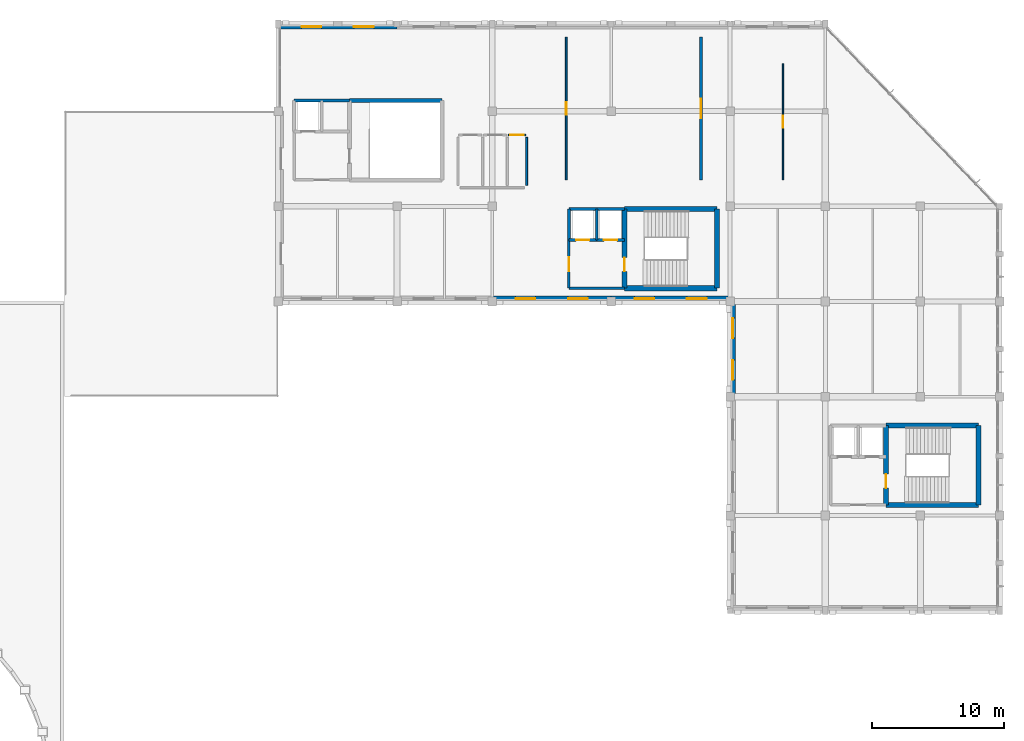
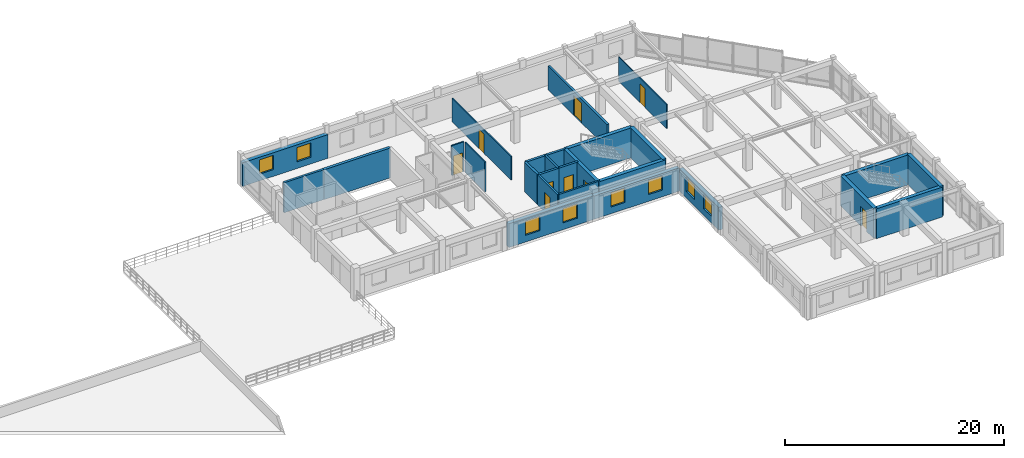
# One storey, part 14 of 18: 26 walls, 9 doors, 8 windows, 17 openings.
"""IFC4 building model written with IfcOpenShell, lengths in metres."""

from ifc_helpers import new_model, si_unit, direction, frame, frame_2d, origin, place, context, subcontext, project, spatial, rectangle, extrude, material, layer, layer_set, type_object, element, fill, save


model = new_model("IFC4")

# Units and contexts
model_context = context("Model", 3, precision=1e-05, world=origin(), true_north=direction((0.0, 1.0)))
body_context = subcontext(model_context, "Body", "Model", "MODEL_VIEW")
ifc_project = project(units=[si_unit("LENGTHUNIT", "METRE"), si_unit("AREAUNIT", "SQUARE_METRE"), si_unit("VOLUMEUNIT", "CUBIC_METRE"), si_unit("PLANEANGLEUNIT", "RADIAN"), si_unit("MASSUNIT", "GRAM", prefix="KILO")], contexts=[model_context])

# Site, building, storey
site_placement = place(None, origin())
site = spatial("IfcSite", under=ifc_project, at=site_placement, CompositionType="ELEMENT")
building_placement = place(site_placement, origin())
building = spatial("IfcBuilding", under=site, at=building_placement, Name="Clarverna Civic Hall", CompositionType="ELEMENT")
storey_placement = place(building_placement, frame((0.0, 0.0, 20.39990234375)))
storey = spatial("IfcBuildingStorey", under=building, at=storey_placement, Name="L05", CompositionType="ELEMENT", Elevation=20.39990234375)

# Wall, openings, windows
ifc_material_1 = material(Name="Montjuic Limestone Ashlar Cladding", Category="masonry")
ifc_layer_1 = layer(ifc_material_1, 0.39990234375)
ifc_layer_set_1 = layer_set([ifc_layer_1], Name="Montjuic Limestone Ashlar Cladding")
wall_type_1 = type_object("IfcWallType", Name="EW-02", PredefinedType="SOLIDWALL", material=ifc_layer_set_1)
wall_1_placement = place(storey_placement, frame((113.39990234375, 115.800048828125, 0.0), z_axis=(0.0, 0.0, 1.0), x_axis=(1.0, 0.0, 0.0)))
wall_1 = element("IfcWall", 1, at=wall_1_placement, inside=storey, type_object=wall_type_1, Name="EW-02-254", PredefinedType="SOLIDWALL", context=body_context, shape_type="SweptSolid", body=[
    extrude(rectangle(XDim=9.0, YDim=0.39990234375, at=frame_2d((4.5, 0.0))), origin(), (0.0, 0.0, 1.0), 2.64013671875),
])
opening_1_placement = place(wall_1_placement, frame((1.77001953125, 0.0, 0.75)))
opening_1 = element("IfcOpeningElement", 2, at=opening_1_placement, cuts=wall_1, Name="Opening WN-14", PredefinedType="OPENING", context=body_context, shape_type="SweptSolid", body=[
    extrude(rectangle(XDim=1.5, YDim=1.60009765625, at=frame_2d((0.75, 0.800048828125))), frame((0.0, 0.2099609375, 0.0), z_axis=(0.0, -1.0, 0.0), x_axis=(1.0, 0.0, 0.0)), (0.0, 0.0, 1.0), 0.419921875),
])
opening_2_placement = place(wall_1_placement, frame((5.72998046875, 0.0, 0.75)))
opening_2 = element("IfcOpeningElement", 3, at=opening_2_placement, cuts=wall_1, Name="Opening WN-14", PredefinedType="OPENING", context=body_context, shape_type="SweptSolid", body=[
    extrude(rectangle(XDim=1.5, YDim=1.60009765625, at=frame_2d((0.75, 0.800048828125))), frame((0.0, 0.2099609375, 0.0), z_axis=(0.0, -1.0, 0.0), x_axis=(1.0, 0.0, 0.0)), (0.0, 0.0, 1.0), 0.419921875),
])
ifc_material_2 = material(Name="Solar-Control Argon Low-E Double Glazing", Category="glass")
window_type = type_object("IfcWindowType", Name="WN-14", PartitioningType="DOUBLE_PANEL_HORIZONTAL", PredefinedType="WINDOW", material=ifc_material_2)
window_1_placement = place(opening_1_placement, origin())
window_1 = element("IfcWindow", 4, at=window_1_placement, inside=storey, type_object=window_type, Name="WN-14-291", OverallHeight=1.60009765625, OverallWidth=1.5, PartitioningType="DOUBLE_PANEL_HORIZONTAL", PredefinedType="WINDOW", context=body_context, shape_type="SweptSolid", body=[
    extrude(rectangle(XDim=1.5, YDim=1.60009765625, at=frame_2d((0.75, 0.800048828125))), frame((0.0, 0.030029296875, 0.0), z_axis=(0.0, -1.0, 0.0), x_axis=(1.0, 0.0, 0.0)), (0.0, 0.0, 1.0), 0.06005859375),
])
fill(opening_1, window_1)
window_2_placement = place(opening_2_placement, origin())
window_2 = element("IfcWindow", 5, at=window_2_placement, inside=storey, type_object=window_type, Name="WN-14-292", OverallHeight=1.60009765625, OverallWidth=1.5, PartitioningType="DOUBLE_PANEL_HORIZONTAL", PredefinedType="WINDOW", context=body_context, shape_type="SweptSolid", body=[
    extrude(rectangle(XDim=1.5, YDim=1.60009765625, at=frame_2d((0.75, 0.800048828125))), frame((0.0, 0.030029296875, 0.0), z_axis=(0.0, -1.0, 0.0), x_axis=(1.0, 0.0, 0.0)), (0.0, 0.0, 1.0), 0.06005859375),
])
fill(opening_2, window_2)

wall_2_placement = place(storey_placement, frame((147.800048828125, 87.800048828125, 0.0), z_axis=(0.0, 0.0, 1.0), x_axis=(0.0, 1.0, 0.0)))
wall_2 = element("IfcWall", 6, at=wall_2_placement, inside=storey, type_object=wall_type_1, Name="EW-02-264", PredefinedType="SOLIDWALL", context=body_context, shape_type="SweptSolid", body=[
    extrude(rectangle(XDim=7.199951171875, YDim=0.39990234375, at=frame_2d((3.60009765625, 0.0))), origin(), (0.0, 0.0, 1.0), 2.5400390625),
])
opening_3_placement = place(wall_2_placement, frame((1.26611328125, 0.0, 0.75)))
opening_3 = element("IfcOpeningElement", 7, at=opening_3_placement, cuts=wall_2, Name="Opening WN-14", PredefinedType="OPENING", context=body_context, shape_type="SweptSolid", body=[
    extrude(rectangle(XDim=1.5, YDim=1.60009765625, at=frame_2d((0.75, 0.800048828125))), frame((0.0, 0.2099609375, 0.0), z_axis=(0.0, -1.0, 0.0), x_axis=(1.0, 0.0, 0.0)), (0.0, 0.0, 1.0), 0.419921875),
])
opening_4_placement = place(wall_2_placement, frame((4.43408203125, 0.0, 0.75)))
opening_4 = element("IfcOpeningElement", 8, at=opening_4_placement, cuts=wall_2, Name="Opening WN-14", PredefinedType="OPENING", context=body_context, shape_type="SweptSolid", body=[
    extrude(rectangle(XDim=1.5, YDim=1.60009765625, at=frame_2d((0.75, 0.800048828125))), frame((0.0, 0.2099609375, 0.0), z_axis=(0.0, -1.0, 0.0), x_axis=(1.0, 0.0, 0.0)), (0.0, 0.0, 1.0), 0.419921875),
])
window_3_placement = place(opening_3_placement, origin())
window_3 = element("IfcWindow", 9, at=window_3_placement, inside=storey, type_object=window_type, Name="WN-14-307", OverallHeight=1.60009765625, OverallWidth=1.5, PartitioningType="DOUBLE_PANEL_HORIZONTAL", PredefinedType="WINDOW", context=body_context, shape_type="SweptSolid", body=[
    extrude(rectangle(XDim=1.5, YDim=1.60009765625, at=frame_2d((0.75, 0.800048828125))), frame((0.0, 0.030029296875, 0.0), z_axis=(0.0, -1.0, 0.0), x_axis=(1.0, 0.0, 0.0)), (0.0, 0.0, 1.0), 0.06005859375),
])
fill(opening_3, window_3)
window_4_placement = place(opening_4_placement, origin())
window_4 = element("IfcWindow", 10, at=window_4_placement, inside=storey, type_object=window_type, Name="WN-14-308", OverallHeight=1.60009765625, OverallWidth=1.5, PartitioningType="DOUBLE_PANEL_HORIZONTAL", PredefinedType="WINDOW", context=body_context, shape_type="SweptSolid", body=[
    extrude(rectangle(XDim=1.5, YDim=1.60009765625, at=frame_2d((0.75, 0.800048828125))), frame((0.0, 0.030029296875, 0.0), z_axis=(0.0, -1.0, 0.0), x_axis=(1.0, 0.0, 0.0)), (0.0, 0.0, 1.0), 0.06005859375),
])
fill(opening_4, window_4)

wall_3_placement = place(storey_placement, frame((147.60009765625, 95.199951171875, 0.0), z_axis=(0.0, 0.0, 1.0), x_axis=(-1.0, 0.0, 0.0)))
wall_3 = element("IfcWall", 11, at=wall_3_placement, inside=storey, type_object=wall_type_1, Name="EW-02-265", PredefinedType="SOLIDWALL", context=body_context, shape_type="SweptSolid", body=[
    extrude(rectangle(XDim=9.0, YDim=0.39990234375, at=frame_2d((4.5, 0.0))), origin(), (0.0, 0.0, 1.0), 2.590087890625),
])
opening_5_placement = place(wall_3_placement, frame((1.77001953125, 0.0, 0.75)))
opening_5 = element("IfcOpeningElement", 12, at=opening_5_placement, cuts=wall_3, Name="Opening WN-14", PredefinedType="OPENING", context=body_context, shape_type="SweptSolid", body=[
    extrude(rectangle(XDim=1.5, YDim=1.60009765625, at=frame_2d((0.75, 0.800048828125))), frame((0.0, 0.2099609375, 0.0), z_axis=(0.0, -1.0, 0.0), x_axis=(1.0, 0.0, 0.0)), (0.0, 0.0, 1.0), 0.419921875),
])
opening_6_placement = place(wall_3_placement, frame((5.72998046875, 0.0, 0.75)))
opening_6 = element("IfcOpeningElement", 13, at=opening_6_placement, cuts=wall_3, Name="Opening WN-14", PredefinedType="OPENING", context=body_context, shape_type="SweptSolid", body=[
    extrude(rectangle(XDim=1.5, YDim=1.60009765625, at=frame_2d((0.75, 0.800048828125))), frame((0.0, 0.2099609375, 0.0), z_axis=(0.0, -1.0, 0.0), x_axis=(1.0, 0.0, 0.0)), (0.0, 0.0, 1.0), 0.419921875),
])
window_5_placement = place(opening_5_placement, origin())
window_5 = element("IfcWindow", 14, at=window_5_placement, inside=storey, type_object=window_type, Name="WN-14-309", OverallHeight=1.60009765625, OverallWidth=1.5, PartitioningType="DOUBLE_PANEL_HORIZONTAL", PredefinedType="WINDOW", context=body_context, shape_type="SweptSolid", body=[
    extrude(rectangle(XDim=1.5, YDim=1.60009765625, at=frame_2d((0.75, 0.800048828125))), frame((0.0, 0.030029296875, 0.0), z_axis=(0.0, -1.0, 0.0), x_axis=(1.0, 0.0, 0.0)), (0.0, 0.0, 1.0), 0.06005859375),
])
fill(opening_5, window_5)
window_6_placement = place(opening_6_placement, origin())
window_6 = element("IfcWindow", 15, at=window_6_placement, inside=storey, type_object=window_type, Name="WN-14-310", OverallHeight=1.60009765625, OverallWidth=1.5, PartitioningType="DOUBLE_PANEL_HORIZONTAL", PredefinedType="WINDOW", context=body_context, shape_type="SweptSolid", body=[
    extrude(rectangle(XDim=1.5, YDim=1.60009765625, at=frame_2d((0.75, 0.800048828125))), frame((0.0, 0.030029296875, 0.0), z_axis=(0.0, -1.0, 0.0), x_axis=(1.0, 0.0, 0.0)), (0.0, 0.0, 1.0), 0.06005859375),
])
fill(opening_6, window_6)

wall_4_placement = place(storey_placement, frame((138.60009765625, 95.199951171875, 0.0), z_axis=(0.0, 0.0, 1.0), x_axis=(-1.0, 0.0, 0.0)))
wall_4 = element("IfcWall", 16, at=wall_4_placement, inside=storey, type_object=wall_type_1, Name="EW-02-266", PredefinedType="SOLIDWALL", context=body_context, shape_type="SweptSolid", body=[
    extrude(rectangle(XDim=9.0, YDim=0.39990234375, at=frame_2d((4.5, 0.0))), origin(), (0.0, 0.0, 1.0), 2.66015625),
])
opening_7_placement = place(wall_4_placement, frame((1.77001953125, 0.0, 0.75)))
opening_7 = element("IfcOpeningElement", 17, at=opening_7_placement, cuts=wall_4, Name="Opening WN-14", PredefinedType="OPENING", context=body_context, shape_type="SweptSolid", body=[
    extrude(rectangle(XDim=1.5, YDim=1.60009765625, at=frame_2d((0.75, 0.800048828125))), frame((0.0, 0.2099609375, 0.0), z_axis=(0.0, -1.0, 0.0), x_axis=(1.0, 0.0, 0.0)), (0.0, 0.0, 1.0), 0.419921875),
])
opening_8_placement = place(wall_4_placement, frame((5.72998046875, 0.0, 0.75)))
opening_8 = element("IfcOpeningElement", 18, at=opening_8_placement, cuts=wall_4, Name="Opening WN-14", PredefinedType="OPENING", context=body_context, shape_type="SweptSolid", body=[
    extrude(rectangle(XDim=1.5, YDim=1.60009765625, at=frame_2d((0.75, 0.800048828125))), frame((0.0, 0.2099609375, 0.0), z_axis=(0.0, -1.0, 0.0), x_axis=(1.0, 0.0, 0.0)), (0.0, 0.0, 1.0), 0.419921875),
])
window_7_placement = place(opening_7_placement, origin())
window_7 = element("IfcWindow", 19, at=window_7_placement, inside=storey, type_object=window_type, Name="WN-14-311", OverallHeight=1.60009765625, OverallWidth=1.5, PartitioningType="DOUBLE_PANEL_HORIZONTAL", PredefinedType="WINDOW", context=body_context, shape_type="SweptSolid", body=[
    extrude(rectangle(XDim=1.5, YDim=1.60009765625, at=frame_2d((0.75, 0.800048828125))), frame((0.0, 0.030029296875, 0.0), z_axis=(0.0, -1.0, 0.0), x_axis=(1.0, 0.0, 0.0)), (0.0, 0.0, 1.0), 0.06005859375),
])
fill(opening_7, window_7)
window_8_placement = place(opening_8_placement, origin())
window_8 = element("IfcWindow", 20, at=window_8_placement, inside=storey, type_object=window_type, Name="WN-14-312", OverallHeight=1.60009765625, OverallWidth=1.5, PartitioningType="DOUBLE_PANEL_HORIZONTAL", PredefinedType="WINDOW", context=body_context, shape_type="SweptSolid", body=[
    extrude(rectangle(XDim=1.5, YDim=1.60009765625, at=frame_2d((0.75, 0.800048828125))), frame((0.0, 0.030029296875, 0.0), z_axis=(0.0, -1.0, 0.0), x_axis=(1.0, 0.0, 0.0)), (0.0, 0.0, 1.0), 0.06005859375),
])
fill(opening_8, window_8)

# Wall
ifc_material_3 = material(Name="Ceramic Brick and Plaster Wet-Room Partition", Category="masonry")
ifc_layer_2 = layer(ifc_material_3, 0.139892578125)
ifc_layer_set_2 = layer_set([ifc_layer_2], Name="Ceramic Brick and Plaster Wet-Room Partition")
wall_type_2 = type_object("IfcWallType", Name="PW-02", PredefinedType="PARTITIONING", material=ifc_layer_set_2)
wall_5_placement = place(storey_placement, frame((132.199951171875, 103.780029296875, 0.0), z_axis=(0.0, 0.0, 1.0), x_axis=(0.0, 1.0, 0.0)))
element("IfcWall", 21, at=wall_5_placement, inside=storey, type_object=wall_type_2, Name="PW-02-051", PredefinedType="PARTITIONING", context=body_context, shape_type="SweptSolid", body=[
    extrude(rectangle(XDim=3.639892578125, YDim=0.139892578125, at=frame_2d((1.81982421875, 0.0))), origin(), (0.0, 0.0, 1.0), 3.340087890625),
])

# Wall, opening, door
wall_6_placement = place(storey_placement, frame((130.823974609375, 107.60009765625, 0.0), z_axis=(0.0, 0.0, 1.0), x_axis=(1.0, 0.0, 0.0)))
wall_6 = element("IfcWall", 22, at=wall_6_placement, inside=storey, type_object=wall_type_2, Name="PW-02-056", PredefinedType="PARTITIONING", context=body_context, shape_type="SweptSolid", body=[
    extrude(rectangle(XDim=1.296142578125, YDim=0.139892578125, at=frame_2d((0.64794921875, 0.0))), origin(), (0.0, 0.0, 1.0), 3.340087890625),
])
opening_9_placement = place(wall_6_placement, frame((0.14794921875, 0.0, 0.0)))
opening_9 = element("IfcOpeningElement", 23, at=opening_9_placement, cuts=wall_6, Name="Opening ID-02", PredefinedType="OPENING", context=body_context, shape_type="SweptSolid", body=[
    extrude(rectangle(XDim=1.0, YDim=2.14990234375, at=frame_2d((0.5, 1.074951171875))), frame((0.0, 0.079833984375, 0.0), z_axis=(0.0, -1.0, 0.0), x_axis=(1.0, 0.0, 0.0)), (0.0, 0.0, 1.0), 0.159912109375),
])
ifc_material_4 = material(Name="European Oak Veneered Acoustic Timber Door", Category="wood")
door_type_1 = type_object("IfcDoorType", Name="ID-02", OperationType="NOTDEFINED", PredefinedType="DOOR", material=ifc_material_4)
door_1_placement = place(opening_9_placement, origin())
door_1 = element("IfcDoor", 24, at=door_1_placement, inside=storey, type_object=door_type_1, Name="ID-02-021", OperationType="SINGLE_SWING_LEFT", OverallHeight=2.14990234375, OverallWidth=1.0, PredefinedType="DOOR", context=body_context, shape_type="SweptSolid", body=[
    extrude(rectangle(XDim=1.0, YDim=2.14990234375, at=frame_2d((0.5, 1.074951171875))), frame((0.0, 0.02490234375, 0.0), z_axis=(0.0, -1.0, 0.0), x_axis=(1.0, 0.0, 0.0)), (0.0, 0.0, 1.0), 0.050048828125),
])
fill(opening_9, door_1)

ifc_material_5 = material(Name="Gypsum Plasterboard Partition", Category="gypsum")
ifc_layer_3 = layer(ifc_material_5, 0.1201171875)
ifc_layer_set_3 = layer_set([ifc_layer_3], Name="Gypsum Plasterboard Partition")
wall_type_3 = type_object("IfcWallType", Name="PW-03", PredefinedType="PARTITIONING", material=ifc_layer_set_3)
wall_7_placement = place(storey_placement, frame((135.199951171875, 104.199951171875, 0.0), z_axis=(0.0, 0.0, 1.0), x_axis=(0.0, 1.0, 0.0)))
wall_7 = element("IfcWall", 25, at=wall_7_placement, inside=storey, type_object=wall_type_3, Name="PW-03-008", PredefinedType="PARTITIONING", context=body_context, shape_type="SweptSolid", body=[
    extrude(rectangle(XDim=10.800048828125, YDim=0.1201171875, at=frame_2d((5.39990234375, 0.0))), origin(), (0.0, 0.0, 1.0), 2.6201171875),
])
opening_10_placement = place(wall_7_placement, frame((4.925048828125, 0.0, 0.0)))
opening_10 = element("IfcOpeningElement", 26, at=opening_10_placement, cuts=wall_7, Name="Opening ID-01", PredefinedType="OPENING", context=body_context, shape_type="SweptSolid", body=[
    extrude(rectangle(XDim=0.949951171875, YDim=2.14990234375, at=frame_2d((0.47509765625, 1.074951171875))), frame((0.0, 0.070068359375, 0.0), z_axis=(0.0, -1.0, 0.0), x_axis=(1.0, 0.0, 0.0)), (0.0, 0.0, 1.0), 0.14013671875),
])
door_type_2 = type_object("IfcDoorType", Name="ID-01", OperationType="NOTDEFINED", PredefinedType="DOOR", material=ifc_material_4)
door_2_placement = place(opening_10_placement, origin())
door_2 = element("IfcDoor", 27, at=door_2_placement, inside=storey, type_object=door_type_2, Name="ID-01-011", OperationType="SINGLE_SWING_LEFT", OverallHeight=2.14990234375, OverallWidth=0.949951171875, PredefinedType="DOOR", context=body_context, shape_type="SweptSolid", body=[
    extrude(rectangle(XDim=0.949951171875, YDim=2.14990234375, at=frame_2d((0.47509765625, 1.074951171875))), frame((0.0, 0.02490234375, 0.0), z_axis=(0.0, -1.0, 0.0), x_axis=(1.0, 0.0, 0.0)), (0.0, 0.0, 1.0), 0.050048828125),
])
fill(opening_10, door_2)

ifc_layer_4 = layer(ifc_material_5, 0.10009765625)
ifc_layer_set_4 = layer_set([ifc_layer_4], Name="Gypsum Plasterboard Partition")
wall_type_4 = type_object("IfcWallType", Name="PW-04", PredefinedType="PARTITIONING", material=ifc_layer_set_4)
wall_8_placement = place(storey_placement, frame((151.60009765625, 104.199951171875, 0.0), z_axis=(0.0, 0.0, 1.0), x_axis=(0.0, 1.0, 0.0)))
wall_8 = element("IfcWall", 28, at=wall_8_placement, inside=storey, type_object=wall_type_4, Name="PW-04-008", PredefinedType="PARTITIONING", context=body_context, shape_type="SweptSolid", body=[
    extrude(rectangle(XDim=8.800048828125, YDim=0.10009765625, at=frame_2d((4.39990234375, 0.0))), origin(), (0.0, 0.0, 1.0), 2.72021484375),
])
opening_11_placement = place(wall_8_placement, frame((3.949951171875, 0.0, 0.0)))
opening_11 = element("IfcOpeningElement", 29, at=opening_11_placement, cuts=wall_8, Name="Opening ID-06", PredefinedType="OPENING", context=body_context, shape_type="SweptSolid", body=[
    extrude(rectangle(XDim=0.89990234375, YDim=2.10009765625, at=frame_2d((0.449951171875, 1.050048828125))), frame((0.0, 0.06005859375, 0.0), z_axis=(0.0, -1.0, 0.0), x_axis=(1.0, 0.0, 0.0)), (0.0, 0.0, 1.0), 0.1201171875),
])
ifc_material_6 = material(Name="Painted Hardwood Service Door", Category="wood")
door_type_3 = type_object("IfcDoorType", Name="ID-06", OperationType="NOTDEFINED", PredefinedType="DOOR", material=ifc_material_6)
door_3_placement = place(opening_11_placement, origin())
door_3 = element("IfcDoor", 30, at=door_3_placement, inside=storey, type_object=door_type_3, Name="ID-06-002", OperationType="SINGLE_SWING_RIGHT", OverallHeight=2.10009765625, OverallWidth=0.89990234375, PredefinedType="DOOR", context=body_context, shape_type="SweptSolid", body=[
    extrude(rectangle(XDim=0.89990234375, YDim=2.10009765625, at=frame_2d((0.449951171875, 1.050048828125))), frame((0.0, 0.02490234375, 0.0), z_axis=(0.0, -1.0, 0.0), x_axis=(1.0, 0.0, 0.0)), (0.0, 0.0, 1.0), 0.050048828125),
])
fill(opening_11, door_3)

ifc_material_7 = material(Name="Aerated Concrete Masonry Blockwork", Category="masonry")
ifc_layer_5 = layer(ifc_material_7, 0.219970703125)
ifc_layer_set_5 = layer_set([ifc_layer_5], Name="Aerated Concrete Masonry Blockwork")
wall_type_5 = type_object("IfcWallType", Name="PW-05", PredefinedType="PARTITIONING", material=ifc_layer_set_5)
wall_9_placement = place(storey_placement, frame((145.39990234375, 104.199951171875, 0.0), z_axis=(0.0, 0.0, 1.0), x_axis=(0.0, 1.0, 0.0)))
wall_9 = element("IfcWall", 31, at=wall_9_placement, inside=storey, type_object=wall_type_5, Name="PW-05-012", PredefinedType="PARTITIONING", context=body_context, shape_type="SweptSolid", body=[
    extrude(rectangle(XDim=10.800048828125, YDim=0.219970703125, at=frame_2d((5.39990234375, 0.0))), origin(), (0.0, 0.0, 1.0), 2.66015625),
])
opening_12_placement = place(wall_9_placement, frame((4.675048828125, 0.0, 0.0)))
opening_12 = element("IfcOpeningElement", 32, at=opening_12_placement, cuts=wall_9, Name="Opening FD-01", PredefinedType="OPENING", context=body_context, shape_type="SweptSolid", body=[
    extrude(rectangle(XDim=1.449951171875, YDim=2.199951171875, at=frame_2d((0.72509765625, 1.10009765625))), frame((0.0, 0.119873046875, 0.0), z_axis=(0.0, -1.0, 0.0), x_axis=(1.0, 0.0, 0.0)), (0.0, 0.0, 1.0), 0.239990234375),
])
ifc_material_8 = material(Name="Acoustic Timber-Faced Fire Door", Category="wood")
door_type_4 = type_object("IfcDoorType", Name="FD-01", OperationType="DOUBLE_DOOR_SINGLE_SWING", PredefinedType="DOOR", material=ifc_material_8)
door_4_placement = place(opening_12_placement, origin())
door_4 = element("IfcDoor", 33, at=door_4_placement, inside=storey, type_object=door_type_4, Name="FD-01-014", OperationType="DOUBLE_DOOR_SINGLE_SWING", OverallHeight=2.199951171875, OverallWidth=1.449951171875, PredefinedType="DOOR", context=body_context, shape_type="SweptSolid", body=[
    extrude(rectangle(XDim=1.449951171875, YDim=2.199951171875, at=frame_2d((0.72509765625, 1.10009765625))), frame((0.0, 0.02490234375, 0.0), z_axis=(0.0, -1.0, 0.0), x_axis=(1.0, 0.0, 0.0)), (0.0, 0.0, 1.0), 0.050048828125),
])
fill(opening_12, door_4)

ifc_material_9 = material(Name="Acoustic Gypsum Plasterboard on Twin Frame", Category="gypsum")
ifc_layer_6 = layer(ifc_material_9, 0.18994140625)
ifc_layer_set_6 = layer_set([ifc_layer_6], Name="Acoustic Gypsum Plasterboard on Twin Frame")
wall_type_6 = type_object("IfcWallType", Name="PW-06", PredefinedType="PARTITIONING", material=ifc_layer_set_6)
wall_10_placement = place(storey_placement, frame((135.39990234375, 96.0, 0.0), z_axis=(0.0, 0.0, 1.0), x_axis=(0.0, 1.0, 0.0)))
wall_10 = element("IfcWall", 34, at=wall_10_placement, inside=storey, type_object=wall_type_6, Name="PW-06-013", PredefinedType="PARTITIONING", context=body_context, shape_type="SweptSolid", body=[
    extrude(rectangle(XDim=3.64990234375, YDim=0.18994140625, at=frame_2d((1.824951171875, 0.0))), origin(), (0.0, 0.0, 1.0), 3.340087890625),
])
opening_13_placement = place(wall_10_placement, frame((1.300048828125, 0.0, 0.0)))
opening_13 = element("IfcOpeningElement", 35, at=opening_13_placement, cuts=wall_10, Name="Opening FD-02", PredefinedType="OPENING", context=body_context, shape_type="SweptSolid", body=[
    extrude(rectangle(XDim=1.050048828125, YDim=2.14990234375, at=frame_2d((0.52490234375, 1.074951171875))), frame((0.0, 0.10498046875, 0.0), z_axis=(0.0, -1.0, 0.0), x_axis=(1.0, 0.0, 0.0)), (0.0, 0.0, 1.0), 0.2099609375),
])
door_type_5 = type_object("IfcDoorType", Name="FD-02", OperationType="NOTDEFINED", PredefinedType="DOOR", material=ifc_material_8)
door_5_placement = place(opening_13_placement, origin())
door_5 = element("IfcDoor", 36, at=door_5_placement, inside=storey, type_object=door_type_5, Name="FD-02-013", OperationType="SINGLE_SWING_RIGHT", OverallHeight=2.14990234375, OverallWidth=1.050048828125, PredefinedType="DOOR", context=body_context, shape_type="SweptSolid", body=[
    extrude(rectangle(XDim=1.050048828125, YDim=2.14990234375, at=frame_2d((0.52490234375, 1.074951171875))), frame((0.0, 0.02490234375, 0.0), z_axis=(0.0, -1.0, 0.0), x_axis=(1.0, 0.0, 0.0)), (0.0, 0.0, 1.0), 0.050048828125),
])
fill(opening_13, door_5)

# Wall
wall_11_placement = place(storey_placement, frame((135.39990234375, 96.0, 0.0), z_axis=(0.0, 0.0, 1.0), x_axis=(1.0, 0.0, 0.0)))
element("IfcWall", 37, at=wall_11_placement, inside=storey, type_object=wall_type_6, Name="PW-06-014", PredefinedType="PARTITIONING", context=body_context, shape_type="SweptSolid", body=[
    extrude(rectangle(XDim=4.2001953125, YDim=0.18994140625, at=frame_2d((2.10009765625, 0.0))), origin(), (0.0, 0.0, 1.0), 3.340087890625),
])

# Wall, opening, door
ifc_material_10 = material(Name="Concrete C35/45", Category="concrete")
ifc_layer_7 = layer(ifc_material_10, 0.3798828125)
ifc_layer_set_7 = layer_set([ifc_layer_7], Name="Concrete C35/45")
wall_type_7 = type_object("IfcWallType", Name="SW-01", PredefinedType="SHEAR", material=ifc_layer_set_7)
wall_12_placement = place(storey_placement, frame((139.60009765625, 96.0, 0.0), z_axis=(0.0, 0.0, 1.0), x_axis=(0.0, 1.0, 0.0)))
wall_12 = element("IfcWall", 38, at=wall_12_placement, inside=storey, type_object=wall_type_7, Name="SW-01-055", PredefinedType="SHEAR", context=body_context, shape_type="SweptSolid", body=[
    extrude(rectangle(XDim=6.0, YDim=0.3798828125, at=frame_2d((3.0, 0.0))), origin(), (0.0, 0.0, 1.0), 3.340087890625),
])
opening_14_placement = place(wall_12_placement, frame((1.27490234375, 0.0, 0.0)))
opening_14 = element("IfcOpeningElement", 39, at=opening_14_placement, cuts=wall_12, Name="Opening FD-02", PredefinedType="OPENING", context=body_context, shape_type="SweptSolid", body=[
    extrude(rectangle(XDim=1.050048828125, YDim=2.14990234375, at=frame_2d((0.52490234375, 1.074951171875))), frame((0.0, 0.199951171875, 0.0), z_axis=(0.0, -1.0, 0.0), x_axis=(1.0, 0.0, 0.0)), (0.0, 0.0, 1.0), 0.39990234375),
])
door_6_placement = place(opening_14_placement, origin())
door_6 = element("IfcDoor", 40, at=door_6_placement, inside=storey, type_object=door_type_5, Name="FD-02-012", OperationType="SINGLE_SWING_LEFT", OverallHeight=2.14990234375, OverallWidth=1.050048828125, PredefinedType="DOOR", context=body_context, shape_type="SweptSolid", body=[
    extrude(rectangle(XDim=1.050048828125, YDim=2.14990234375, at=frame_2d((0.52490234375, 1.074951171875))), frame((0.0, 0.02490234375, 0.0), z_axis=(0.0, -1.0, 0.0), x_axis=(1.0, 0.0, 0.0)), (0.0, 0.0, 1.0), 0.050048828125),
])
fill(opening_14, door_6)

# Walls
wall_13_placement = place(storey_placement, frame((146.60009765625, 96.0, 0.0), z_axis=(0.0, 0.0, 1.0), x_axis=(0.0, 1.0, 0.0)))
element("IfcWall", 41, at=wall_13_placement, inside=storey, type_object=wall_type_7, Name="SW-01-056", PredefinedType="SHEAR", context=body_context, shape_type="SweptSolid", body=[
    extrude(rectangle(XDim=6.0, YDim=0.3798828125, at=frame_2d((3.0, 0.0))), origin(), (0.0, 0.0, 1.0), 3.340087890625),
])
for number, where, z_axis, x_axis, name in (
    (42, (139.60009765625, 96.0, 0.0), (0.0, 0.0, 1.0), (1.0, 0.0, 0.0), "SW-01-057"),
    (43, (139.60009765625, 102.0, 0.0), (0.0, 0.0, 1.0), (1.0, 0.0, 0.0), "SW-01-058"),
):
    element("IfcWall", number, at=place(storey_placement, frame(where, z_axis=z_axis, x_axis=x_axis)), inside=storey, type_object=wall_type_7, Name=name, PredefinedType="SHEAR", context=body_context, shape_type="SweptSolid", body=[
        extrude(rectangle(XDim=7.0, YDim=0.3798828125, at=frame_2d((3.5, 0.0))), origin(), (0.0, 0.0, 1.0), 3.340087890625),
    ])
wall_14_placement = place(storey_placement, frame((135.39990234375, 102.0, 0.0), z_axis=(0.0, 0.0, 1.0), x_axis=(1.0, 0.0, 0.0)))
element("IfcWall", 44, at=wall_14_placement, inside=storey, type_object=wall_type_7, Name="SW-01-059", PredefinedType="SHEAR", context=body_context, shape_type="SweptSolid", body=[
    extrude(rectangle(XDim=4.2001953125, YDim=0.239990234375, at=frame_2d((2.10009765625, 0.0))), origin(), (0.0, 0.0, 1.0), 3.340087890625),
])
wall_15_placement = place(storey_placement, frame((135.39990234375, 99.64990234375, 0.0), z_axis=(0.0, 0.0, 1.0), x_axis=(0.0, 1.0, 0.0)))
element("IfcWall", 45, at=wall_15_placement, inside=storey, type_object=wall_type_7, Name="SW-01-060", PredefinedType="SHEAR", context=body_context, shape_type="SweptSolid", body=[
    extrude(rectangle(XDim=2.35009765625, YDim=0.239990234375, at=frame_2d((1.175048828125, 0.0))), origin(), (0.0, 0.0, 1.0), 3.340087890625),
])
wall_16_placement = place(storey_placement, frame((137.5, 99.64990234375, 0.0), z_axis=(0.0, 0.0, 1.0), x_axis=(0.0, 1.0, 0.0)))
element("IfcWall", 46, at=wall_16_placement, inside=storey, type_object=wall_type_7, Name="SW-01-061", PredefinedType="SHEAR", context=body_context, shape_type="SweptSolid", body=[
    extrude(rectangle(XDim=2.35009765625, YDim=0.199951171875, at=frame_2d((1.175048828125, 0.0))), origin(), (0.0, 0.0, 1.0), 3.340087890625),
])

# Wall, opening, door
wall_17_placement = place(storey_placement, frame((135.39990234375, 99.64990234375, 0.0), z_axis=(0.0, 0.0, 1.0), x_axis=(1.0, 0.0, 0.0)))
wall_17 = element("IfcWall", 47, at=wall_17_placement, inside=storey, type_object=wall_type_7, Name="SW-01-062", PredefinedType="SHEAR", context=body_context, shape_type="SweptSolid", body=[
    extrude(rectangle(XDim=2.10009765625, YDim=0.239990234375, at=frame_2d((1.050048828125, 0.0))), origin(), (0.0, 0.0, 1.0), 3.340087890625),
])
opening_15_placement = place(wall_17_placement, frame((0.550048828125, 0.0, 0.0)))
opening_15 = element("IfcOpeningElement", 48, at=opening_15_placement, cuts=wall_17, Name="Opening LD-01", PredefinedType="OPENING", context=body_context, shape_type="SweptSolid", body=[
    extrude(rectangle(XDim=1.0, YDim=2.10009765625, at=frame_2d((0.5, 1.050048828125))), frame((0.0, 0.1298828125, 0.0), z_axis=(0.0, -1.0, 0.0), x_axis=(1.0, 0.0, 0.0)), (0.0, 0.0, 1.0), 0.260009765625),
])
ifc_material_11 = material(Name="Brushed Bronze Stainless Lift Landing Door")
door_type_6 = type_object("IfcDoorType", Name="LD-01", OperationType="SLIDING_TO_LEFT", PredefinedType="DOOR", material=ifc_material_11)
door_7_placement = place(opening_15_placement, origin())
door_7 = element("IfcDoor", 49, at=door_7_placement, inside=storey, type_object=door_type_6, Name="LD-01-013", OperationType="SLIDING_TO_LEFT", OverallHeight=2.10009765625, OverallWidth=1.0, PredefinedType="DOOR", context=body_context, shape_type="SweptSolid", body=[
    extrude(rectangle(XDim=1.0, YDim=2.10009765625, at=frame_2d((0.5, 1.050048828125))), frame((0.0, 0.02490234375, 0.0), z_axis=(0.0, -1.0, 0.0), x_axis=(1.0, 0.0, 0.0)), (0.0, 0.0, 1.0), 0.050048828125),
])
fill(opening_15, door_7)

wall_18_placement = place(storey_placement, frame((137.5, 99.64990234375, 0.0), z_axis=(0.0, 0.0, 1.0), x_axis=(1.0, 0.0, 0.0)))
wall_18 = element("IfcWall", 50, at=wall_18_placement, inside=storey, type_object=wall_type_7, Name="SW-01-063", PredefinedType="SHEAR", context=body_context, shape_type="SweptSolid", body=[
    extrude(rectangle(XDim=2.10009765625, YDim=0.239990234375, at=frame_2d((1.050048828125, 0.0))), origin(), (0.0, 0.0, 1.0), 3.340087890625),
])
opening_16_placement = place(wall_18_placement, frame((0.550048828125, 0.0, 0.0)))
opening_16 = element("IfcOpeningElement", 51, at=opening_16_placement, cuts=wall_18, Name="Opening LD-01", PredefinedType="OPENING", context=body_context, shape_type="SweptSolid", body=[
    extrude(rectangle(XDim=1.0, YDim=2.10009765625, at=frame_2d((0.5, 1.050048828125))), frame((0.0, 0.1298828125, 0.0), z_axis=(0.0, -1.0, 0.0), x_axis=(1.0, 0.0, 0.0)), (0.0, 0.0, 1.0), 0.260009765625),
])
door_8_placement = place(opening_16_placement, origin())
door_8 = element("IfcDoor", 52, at=door_8_placement, inside=storey, type_object=door_type_6, Name="LD-01-014", OperationType="SLIDING_TO_LEFT", OverallHeight=2.10009765625, OverallWidth=1.0, PredefinedType="DOOR", context=body_context, shape_type="SweptSolid", body=[
    extrude(rectangle(XDim=1.0, YDim=2.10009765625, at=frame_2d((0.5, 1.050048828125))), frame((0.0, 0.02490234375, 0.0), z_axis=(0.0, -1.0, 0.0), x_axis=(1.0, 0.0, 0.0)), (0.0, 0.0, 1.0), 0.050048828125),
])
fill(opening_16, door_8)

wall_19_placement = place(storey_placement, frame((159.39990234375, 79.60009765625, 0.0), z_axis=(0.0, 0.0, 1.0), x_axis=(0.0, 1.0, 0.0)))
wall_19 = element("IfcWall", 53, at=wall_19_placement, inside=storey, type_object=wall_type_7, Name="SW-01-136", PredefinedType="SHEAR", context=body_context, shape_type="SweptSolid", body=[
    extrude(rectangle(XDim=6.0, YDim=0.3798828125, at=frame_2d((3.0, 0.0))), origin(), (0.0, 0.0, 1.0), 3.340087890625),
])
opening_17_placement = place(wall_19_placement, frame((1.27490234375, 0.0, 0.0)))
opening_17 = element("IfcOpeningElement", 54, at=opening_17_placement, cuts=wall_19, Name="Opening FD-02", PredefinedType="OPENING", context=body_context, shape_type="SweptSolid", body=[
    extrude(rectangle(XDim=1.050048828125, YDim=2.14990234375, at=frame_2d((0.52490234375, 1.074951171875))), frame((0.0, 0.199951171875, 0.0), z_axis=(0.0, -1.0, 0.0), x_axis=(1.0, 0.0, 0.0)), (0.0, 0.0, 1.0), 0.39990234375),
])
door_9_placement = place(opening_17_placement, origin())
door_9 = element("IfcDoor", 55, at=door_9_placement, inside=storey, type_object=door_type_5, Name="FD-02-029", OperationType="SINGLE_SWING_LEFT", OverallHeight=2.14990234375, OverallWidth=1.050048828125, PredefinedType="DOOR", context=body_context, shape_type="SweptSolid", body=[
    extrude(rectangle(XDim=1.050048828125, YDim=2.14990234375, at=frame_2d((0.52490234375, 1.074951171875))), frame((0.0, 0.02490234375, 0.0), z_axis=(0.0, -1.0, 0.0), x_axis=(1.0, 0.0, 0.0)), (0.0, 0.0, 1.0), 0.050048828125),
])
fill(opening_17, door_9)

# Walls
wall_20_placement = place(storey_placement, frame((166.39990234375, 79.60009765625, 0.0), z_axis=(0.0, 0.0, 1.0), x_axis=(0.0, 1.0, 0.0)))
element("IfcWall", 56, at=wall_20_placement, inside=storey, type_object=wall_type_7, Name="SW-01-137", PredefinedType="SHEAR", context=body_context, shape_type="SweptSolid", body=[
    extrude(rectangle(XDim=6.0, YDim=0.3798828125, at=frame_2d((3.0, 0.0))), origin(), (0.0, 0.0, 1.0), 3.340087890625),
])
for number, where, z_axis, x_axis, name in (
    (57, (159.39990234375, 79.60009765625, 0.0), (0.0, 0.0, 1.0), (1.0, 0.0, 0.0), "SW-01-138"),
    (58, (159.39990234375, 85.60009765625, 0.0), (0.0, 0.0, 1.0), (1.0, 0.0, 0.0), "SW-01-139"),
):
    element("IfcWall", number, at=place(storey_placement, frame(where, z_axis=z_axis, x_axis=x_axis)), inside=storey, type_object=wall_type_7, Name=name, PredefinedType="SHEAR", context=body_context, shape_type="SweptSolid", body=[
        extrude(rectangle(XDim=7.0, YDim=0.3798828125, at=frame_2d((3.5, 0.0))), origin(), (0.0, 0.0, 1.0), 3.340087890625),
    ])
ifc_layer_8 = layer(ifc_material_10, 0.300048828125)
ifc_layer_set_8 = layer_set([ifc_layer_8], Name="Concrete C35/45")
wall_type_8 = type_object("IfcWallType", Name="SW-03", PredefinedType="SHEAR", material=ifc_layer_set_8)
wall_21_placement = place(storey_placement, frame((118.800048828125, 110.199951171875, 0.0), z_axis=(0.0, 0.0, 1.0), x_axis=(1.0, 0.0, 0.0)))
element("IfcWall", 59, at=wall_21_placement, inside=storey, type_object=wall_type_8, Name="SW-03-202", PredefinedType="SHEAR", context=body_context, shape_type="SweptSolid", body=[
    extrude(rectangle(XDim=7.0, YDim=0.300048828125, at=frame_2d((3.5, 0.0))), origin(), (0.0, 0.0, 1.0), 3.340087890625),
])
wall_22_placement = place(storey_placement, frame((114.60009765625, 110.199951171875, 0.0), z_axis=(0.0, 0.0, 1.0), x_axis=(1.0, 0.0, 0.0)))
element("IfcWall", 60, at=wall_22_placement, inside=storey, type_object=wall_type_8, Name="SW-03-203", PredefinedType="SHEAR", context=body_context, shape_type="SweptSolid", body=[
    extrude(rectangle(XDim=4.199951171875, YDim=0.239990234375, at=frame_2d((2.10009765625, 0.0))), origin(), (0.0, 0.0, 1.0), 3.340087890625),
])

save(model, "model.ifc")
